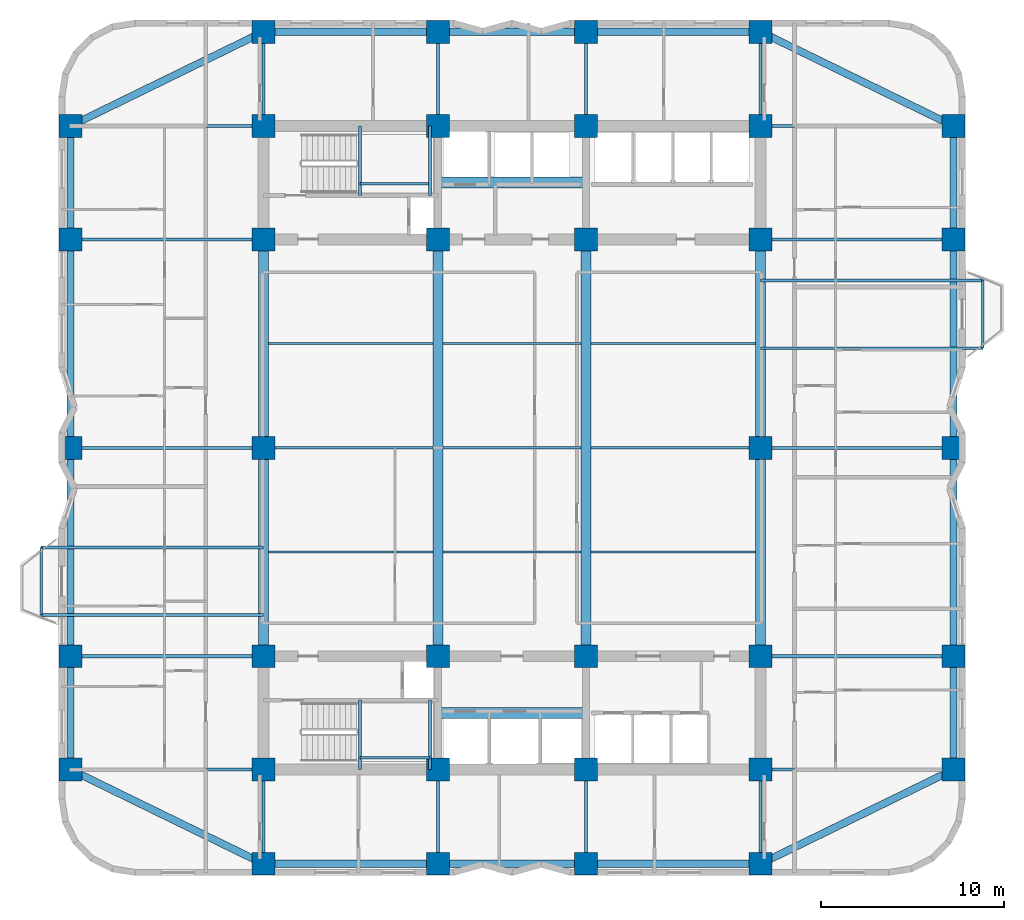
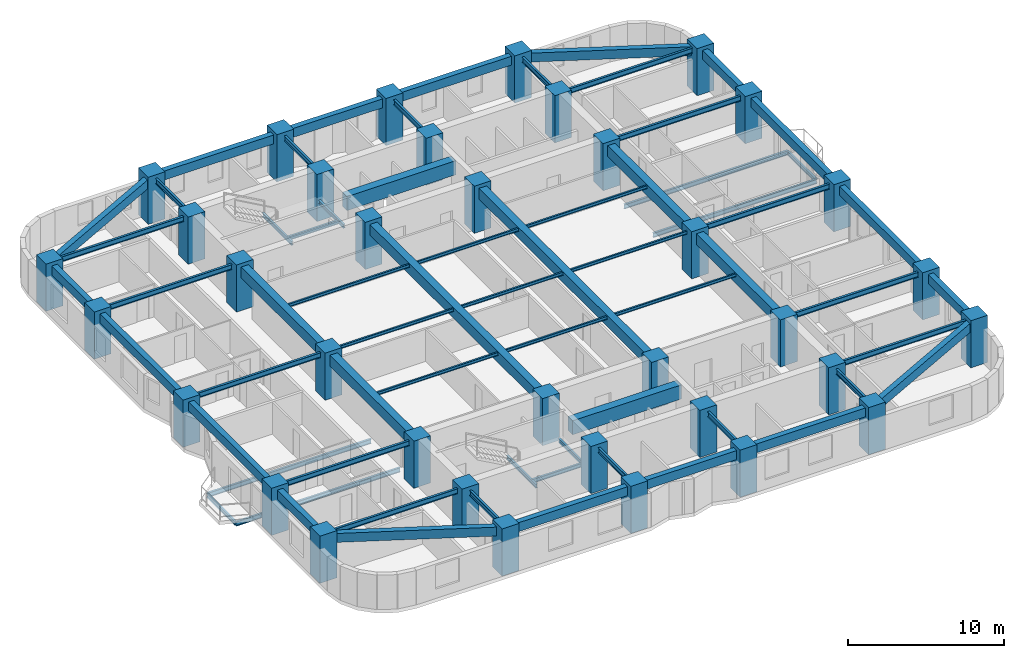
# One storey, part 1 of 9: 65 beams, 36 columns.
"""IFC4 building model written with IfcOpenShell, lengths in metres."""

from ifc_helpers import new_model, si_unit, direction, frame, origin, origin_2d, place, context, subcontext, project, spatial, rectangle, i_section, extrude, material, material_profile, profile_set, type_object, element, save


model = new_model("IFC4")

# Units and contexts
model_context = context("Model", 3, precision=1e-05, world=origin(), true_north=direction((0.0, 1.0)))
body_context = subcontext(model_context, "Body", "Model", "MODEL_VIEW")
ifc_project = project(units=[si_unit("LENGTHUNIT", "METRE"), si_unit("AREAUNIT", "SQUARE_METRE"), si_unit("VOLUMEUNIT", "CUBIC_METRE"), si_unit("PLANEANGLEUNIT", "RADIAN"), si_unit("MASSUNIT", "GRAM", prefix="KILO")], contexts=[model_context])

# Site, building, storey
site_placement = place(None, origin())
site = spatial("IfcSite", under=ifc_project, at=site_placement, CompositionType="ELEMENT")
building_placement = place(site_placement, origin())
building = spatial("IfcBuilding", under=site, at=building_placement, Name="Svetorya Sky Lyceum", CompositionType="ELEMENT")
storey_placement = place(building_placement, frame((0.0, 0.0, 62.10009765625)))
storey = spatial("IfcBuildingStorey", under=building, at=storey_placement, Name="L15", CompositionType="ELEMENT", Elevation=62.10009765625)

# Columns
ifc_material_1 = material(Name="Concrete C60/75", Category="concrete")
ifc_material_profile_1 = material_profile(ifc_material_1, rectangle(XDim=1.25, YDim=1.25, at=origin_2d()), Name="RC COL 1250x1250")
ifc_profile_set_1 = profile_set([ifc_material_profile_1], Name="Concrete C60/75")
column_type = type_object("IfcColumnType", Name="COL-RC-1250", PredefinedType="COLUMN", material=ifc_profile_set_1)
for number, where, z_axis, x_axis, name in (
    (1, (25.60009765625, 10.60009765625, 0.0), (0.0, 0.0, 1.0), (1.0, 0.0, 0.0), "L15 Core Column CS-11"),
    (2, (25.60009765625, 16.800048828125, 0.0), (0.0, 0.0, 1.0), (1.0, 0.0, 0.0), "L15 Core Column CS-12"),
    (3, (35.14990234375, 10.60009765625, 0.0), (0.0, 0.0, 1.0), (1.0, 0.0, 0.0), "L15 Core Column CS-21"),
    (4, (35.14990234375, 16.800048828125, 0.0), (0.0, 0.0, 1.0), (1.0, 0.0, 0.0), "L15 Core Column CS-22"),
    (5, (43.25, 10.60009765625, 0.0), (0.0, 0.0, 1.0), (1.0, 0.0, 0.0), "L15 Core Column CS-31"),
    (6, (43.25, 16.800048828125, 0.0), (0.0, 0.0, 1.0), (1.0, 0.0, 0.0), "L15 Core Column CS-32"),
    (7, (52.800048828125, 10.60009765625, 0.0), (0.0, 0.0, 1.0), (1.0, 0.0, 0.0), "L15 Core Column CS-41"),
    (8, (52.800048828125, 16.800048828125, 0.0), (0.0, 0.0, 1.0), (1.0, 0.0, 0.0), "L15 Core Column CS-42"),
    (9, (25.60009765625, 39.60009765625, 0.0), (0.0, 0.0, 1.0), (1.0, 0.0, 0.0), "L15 Core Column CN-11"),
    (10, (25.60009765625, 45.800048828125, 0.0), (0.0, 0.0, 1.0), (1.0, 0.0, 0.0), "L15 Core Column CN-12"),
    (11, (35.14990234375, 39.60009765625, 0.0), (0.0, 0.0, 1.0), (1.0, 0.0, 0.0), "L15 Core Column CN-21"),
    (12, (35.14990234375, 45.800048828125, 0.0), (0.0, 0.0, 1.0), (1.0, 0.0, 0.0), "L15 Core Column CN-22"),
    (13, (43.25, 39.60009765625, 0.0), (0.0, 0.0, 1.0), (1.0, 0.0, 0.0), "L15 Core Column CN-31"),
    (14, (43.25, 45.800048828125, 0.0), (0.0, 0.0, 1.0), (1.0, 0.0, 0.0), "L15 Core Column CN-32"),
    (15, (52.800048828125, 39.60009765625, 0.0), (0.0, 0.0, 1.0), (1.0, 0.0, 0.0), "L15 Core Column CN-41"),
    (16, (52.800048828125, 45.800048828125, 0.0), (0.0, 0.0, 1.0), (1.0, 0.0, 0.0), "L15 Core Column CN-42"),
    (17, (25.60009765625, 28.199951171875, 0.0), (0.0, 0.0, 1.0), (1.0, 0.0, 0.0), "L15 Core Column CM-W"),
    (18, (52.800048828125, 28.199951171875, 0.0), (0.0, 0.0, 1.0), (1.0, 0.0, 0.0), "L15 Core Column CM-E"),
    (19, (25.60009765625, 5.449951171875, 0.0), (0.0, 0.0, 1.0), (1.0, 0.0, 0.0), "L15 Perimeter Column S1"),
    (20, (25.60009765625, 50.949951171875, 0.0), (0.0, 0.0, 1.0), (1.0, 0.0, 0.0), "L15 Perimeter Column N1"),
    (21, (35.14990234375, 5.449951171875, 0.0), (0.0, 0.0, 1.0), (1.0, 0.0, 0.0), "L15 Perimeter Column S2"),
    (22, (35.14990234375, 50.949951171875, 0.0), (0.0, 0.0, 1.0), (1.0, 0.0, 0.0), "L15 Perimeter Column N2"),
    (23, (43.25, 5.449951171875, 0.0), (0.0, 0.0, 1.0), (1.0, 0.0, 0.0), "L15 Perimeter Column S3"),
    (24, (43.25, 50.949951171875, 0.0), (0.0, 0.0, 1.0), (1.0, 0.0, 0.0), "L15 Perimeter Column N3"),
    (25, (52.800048828125, 5.449951171875, 0.0), (0.0, 0.0, 1.0), (1.0, 0.0, 0.0), "L15 Perimeter Column S4"),
    (26, (52.800048828125, 50.949951171875, 0.0), (0.0, 0.0, 1.0), (1.0, 0.0, 0.0), "L15 Perimeter Column N4"),
    (27, (15.050048828125, 10.60009765625, 0.0), (0.0, 0.0, 1.0), (1.0, 0.0, 0.0), "L15 Perimeter Column W1"),
    (28, (63.35009765625, 10.60009765625, 0.0), (0.0, 0.0, 1.0), (1.0, 0.0, 0.0), "L15 Perimeter Column E1"),
    (29, (15.050048828125, 16.800048828125, 0.0), (0.0, 0.0, 1.0), (1.0, 0.0, 0.0), "L15 Perimeter Column W2"),
    (30, (63.35009765625, 16.800048828125, 0.0), (0.0, 0.0, 1.0), (1.0, 0.0, 0.0), "L15 Perimeter Column E2"),
    (31, (15.050048828125, 28.199951171875, 0.0), (0.0, 0.0, 1.0), (1.0, 0.0, 0.0), "L15 Perimeter Column W3"),
    (32, (63.35009765625, 28.199951171875, 0.0), (0.0, 0.0, 1.0), (1.0, 0.0, 0.0), "L15 Perimeter Column E3"),
    (33, (15.050048828125, 39.60009765625, 0.0), (0.0, 0.0, 1.0), (1.0, 0.0, 0.0), "L15 Perimeter Column W4"),
    (34, (63.35009765625, 39.60009765625, 0.0), (0.0, 0.0, 1.0), (1.0, 0.0, 0.0), "L15 Perimeter Column E4"),
    (35, (15.050048828125, 45.800048828125, 0.0), (0.0, 0.0, 1.0), (1.0, 0.0, 0.0), "L15 Perimeter Column W5"),
    (36, (63.35009765625, 45.800048828125, 0.0), (0.0, 0.0, 1.0), (1.0, 0.0, 0.0), "L15 Perimeter Column E5"),
):
    element("IfcColumn", number, at=place(storey_placement, frame(where, z_axis=z_axis, x_axis=x_axis)), inside=storey, type_object=column_type, Name=name, PredefinedType="COLUMN", context=body_context, shape_type="SweptSolid", body=[
        extrude(rectangle(XDim=1.25, YDim=1.25, at=origin_2d()), origin(), (0.0, 0.0, 1.0), 3.699951171875),
    ])

# Beams
ifc_material_profile_2 = material_profile(ifc_material_1, rectangle(XDim=0.60009765625, YDim=1.10009765625, at=origin_2d()), Name="RC COUPLING 600x1100")
ifc_profile_set_2 = profile_set([ifc_material_profile_2], Name="Concrete C60/75")
beam_type_1 = type_object("IfcBeamType", Name="BM-CPL-1100", PredefinedType="LINTEL", material=ifc_profile_set_2)
for number, where, z_axis, x_axis, name in (
    (37, (35.14990234375, 13.699951171875, 2.869873046875), (1.0, 0.0, 0.0), (0.0, 1.0, 0.0), "L15 SC Core Coupling Beam"),
    (38, (35.14990234375, 42.699951171875, 2.869873046875), (1.0, 0.0, 0.0), (0.0, 1.0, 0.0), "L15 NC Core Coupling Beam"),
):
    element("IfcBeam", number, at=place(storey_placement, frame(where, z_axis=z_axis, x_axis=x_axis)), inside=storey, type_object=beam_type_1, Name=name, PredefinedType="LINTEL", context=body_context, shape_type="SweptSolid", body=[
        extrude(rectangle(XDim=0.60009765625, YDim=1.10009765625, at=origin_2d()), origin(), (0.0, 0.0, 1.0), 8.10009765625),
    ])
ifc_material_2 = material(Name="Concrete C50/60", Category="concrete")
ifc_material_profile_3 = material_profile(ifc_material_2, rectangle(XDim=0.550048828125, YDim=0.85009765625, at=origin_2d()), Name="RC BEAM 550x850")
ifc_profile_set_3 = profile_set([ifc_material_profile_3], Name="Concrete C50/60")
beam_type_2 = type_object("IfcBeamType", Name="BM-RC-850", PredefinedType="BEAM", material=ifc_profile_set_3)
beam_1_placement = place(storey_placement, frame((25.60009765625, 16.800048828125, 2.994873046875), z_axis=(0.0, 1.0, 0.0), x_axis=(-1.0, 0.0, 0.0)))
element("IfcBeam", 39, at=beam_1_placement, inside=storey, type_object=beam_type_2, Name="L15 Central Bay Primary Girder CG-1A", PredefinedType="BEAM", context=body_context, shape_type="SweptSolid", body=[
    extrude(rectangle(XDim=0.550048828125, YDim=0.85009765625, at=origin_2d()), origin(), (0.0, 0.0, 1.0), 11.39990234375),
])
beam_2_placement = place(storey_placement, frame((25.60009765625, 28.199951171875, 2.994873046875), z_axis=(0.0, 1.0, 0.0), x_axis=(-1.0, 0.0, 0.0)))
element("IfcBeam", 40, at=beam_2_placement, inside=storey, type_object=beam_type_2, Name="L15 Central Bay Primary Girder CG-1B", PredefinedType="BEAM", context=body_context, shape_type="SweptSolid", body=[
    extrude(rectangle(XDim=0.550048828125, YDim=0.85009765625, at=origin_2d()), origin(), (0.0, 0.0, 1.0), 11.400146484375),
])
for number, where, z_axis, x_axis, name in (
    (41, (35.14990234375, 16.800048828125, 2.994873046875), (0.0, 1.0, 0.0), (-1.0, 0.0, 0.0), "L15 Central Bay Primary Girder CG-2"),
    (42, (43.25, 16.800048828125, 2.994873046875), (0.0, 1.0, 0.0), (-1.0, 0.0, 0.0), "L15 Central Bay Primary Girder CG-3"),
):
    element("IfcBeam", number, at=place(storey_placement, frame(where, z_axis=z_axis, x_axis=x_axis)), inside=storey, type_object=beam_type_2, Name=name, PredefinedType="BEAM", context=body_context, shape_type="SweptSolid", body=[
        extrude(rectangle(XDim=0.550048828125, YDim=0.85009765625, at=origin_2d()), origin(), (0.0, 0.0, 1.0), 22.800048828125),
    ])
beam_3_placement = place(storey_placement, frame((52.800048828125, 16.800048828125, 2.994873046875), z_axis=(0.0, 1.0, 0.0), x_axis=(-1.0, 0.0, 0.0)))
element("IfcBeam", 43, at=beam_3_placement, inside=storey, type_object=beam_type_2, Name="L15 Central Bay Primary Girder CG-4A", PredefinedType="BEAM", context=body_context, shape_type="SweptSolid", body=[
    extrude(rectangle(XDim=0.550048828125, YDim=0.85009765625, at=origin_2d()), origin(), (0.0, 0.0, 1.0), 11.39990234375),
])
beam_4_placement = place(storey_placement, frame((52.800048828125, 28.199951171875, 2.994873046875), z_axis=(0.0, 1.0, 0.0), x_axis=(-1.0, 0.0, 0.0)))
element("IfcBeam", 44, at=beam_4_placement, inside=storey, type_object=beam_type_2, Name="L15 Central Bay Primary Girder CG-4B", PredefinedType="BEAM", context=body_context, shape_type="SweptSolid", body=[
    extrude(rectangle(XDim=0.550048828125, YDim=0.85009765625, at=origin_2d()), origin(), (0.0, 0.0, 1.0), 11.400146484375),
])
ifc_material_profile_4 = material_profile(ifc_material_2, rectangle(XDim=0.39990234375, YDim=0.699951171875, at=origin_2d()), Name="RC SPANDREL 400x700")
ifc_profile_set_4 = profile_set([ifc_material_profile_4], Name="Concrete C50/60")
beam_type_3 = type_object("IfcBeamType", Name="BM-SPN-700", PredefinedType="SPANDREL", material=ifc_profile_set_4)
beam_5_placement = place(storey_placement, frame((25.60009765625, 5.449951171875, 3.06982421875), z_axis=(1.0, 0.0, 0.0), x_axis=(0.0, 1.0, 0.0)))
element("IfcBeam", 45, at=beam_5_placement, inside=storey, type_object=beam_type_3, Name="L15 South Spandrel 1", PredefinedType="SPANDREL", context=body_context, shape_type="SweptSolid", body=[
    extrude(rectangle(XDim=0.39990234375, YDim=0.699951171875, at=origin_2d()), origin(), (0.0, 0.0, 1.0), 9.5498046875),
])
beam_6_placement = place(storey_placement, frame((35.14990234375, 5.449951171875, 3.06982421875), z_axis=(1.0, 0.0, 0.0), x_axis=(0.0, 1.0, 0.0)))
element("IfcBeam", 46, at=beam_6_placement, inside=storey, type_object=beam_type_3, Name="L15 South Spandrel 2", PredefinedType="SPANDREL", context=body_context, shape_type="SweptSolid", body=[
    extrude(rectangle(XDim=0.39990234375, YDim=0.699951171875, at=origin_2d()), origin(), (0.0, 0.0, 1.0), 8.10009765625),
])
beam_7_placement = place(storey_placement, frame((43.25, 5.449951171875, 3.06982421875), z_axis=(1.0, 0.0, 0.0), x_axis=(0.0, 1.0, 0.0)))
element("IfcBeam", 47, at=beam_7_placement, inside=storey, type_object=beam_type_3, Name="L15 South Spandrel 3", PredefinedType="SPANDREL", context=body_context, shape_type="SweptSolid", body=[
    extrude(rectangle(XDim=0.39990234375, YDim=0.699951171875, at=origin_2d()), origin(), (0.0, 0.0, 1.0), 9.550048828125),
])
beam_8_placement = place(storey_placement, frame((25.60009765625, 50.949951171875, 3.06982421875), z_axis=(1.0, 0.0, 0.0), x_axis=(0.0, 1.0, 0.0)))
element("IfcBeam", 48, at=beam_8_placement, inside=storey, type_object=beam_type_3, Name="L15 North Spandrel 1", PredefinedType="SPANDREL", context=body_context, shape_type="SweptSolid", body=[
    extrude(rectangle(XDim=0.39990234375, YDim=0.699951171875, at=origin_2d()), origin(), (0.0, 0.0, 1.0), 9.5498046875),
])
beam_9_placement = place(storey_placement, frame((35.14990234375, 50.949951171875, 3.06982421875), z_axis=(1.0, 0.0, 0.0), x_axis=(0.0, 1.0, 0.0)))
element("IfcBeam", 49, at=beam_9_placement, inside=storey, type_object=beam_type_3, Name="L15 North Spandrel 2", PredefinedType="SPANDREL", context=body_context, shape_type="SweptSolid", body=[
    extrude(rectangle(XDim=0.39990234375, YDim=0.699951171875, at=origin_2d()), origin(), (0.0, 0.0, 1.0), 8.10009765625),
])
beam_10_placement = place(storey_placement, frame((43.25, 50.949951171875, 3.06982421875), z_axis=(1.0, 0.0, 0.0), x_axis=(0.0, 1.0, 0.0)))
element("IfcBeam", 50, at=beam_10_placement, inside=storey, type_object=beam_type_3, Name="L15 North Spandrel 3", PredefinedType="SPANDREL", context=body_context, shape_type="SweptSolid", body=[
    extrude(rectangle(XDim=0.39990234375, YDim=0.699951171875, at=origin_2d()), origin(), (0.0, 0.0, 1.0), 9.550048828125),
])
for number, where, z_axis, x_axis, name in (
    (51, (25.60009765625, 5.449951171875, 3.06982421875), (-0.898641495694, 0.438683783854, 0.0), (-0.438683783854, -0.898641495694, 0.0), "L15 Corner Spandrel 1"),
    (52, (52.800048828125, 5.449951171875, 3.06982421875), (0.898641495694, 0.438683783854, 0.0), (-0.438683783854, 0.898641495694, 0.0), "L15 Corner Spandrel 2"),
    (53, (63.35009765625, 45.800048828125, 3.06982421875), (-0.898649693653, 0.438666989978, 0.0), (-0.438666989978, -0.898649693653, 0.0), "L15 Corner Spandrel 3"),
    (54, (15.050048828125, 45.800048828125, 3.06982421875), (0.898649693653, 0.438666989978, 0.0), (-0.438666989978, 0.898649693653, 0.0), "L15 Corner Spandrel 4"),
):
    element("IfcBeam", number, at=place(storey_placement, frame(where, z_axis=z_axis, x_axis=x_axis)), inside=storey, type_object=beam_type_3, Name=name, PredefinedType="SPANDREL", context=body_context, shape_type="SweptSolid", body=[
        extrude(rectangle(XDim=0.39990234375, YDim=0.699951171875, at=origin_2d()), origin(), (0.0, 0.0, 1.0), 11.739990234375),
    ])
beam_11_placement = place(storey_placement, frame((15.050048828125, 10.60009765625, 3.06982421875), z_axis=(0.0, 1.0, 0.0), x_axis=(-1.0, 0.0, 0.0)))
element("IfcBeam", 55, at=beam_11_placement, inside=storey, type_object=beam_type_3, Name="L15 West Spandrel 1", PredefinedType="SPANDREL", context=body_context, shape_type="SweptSolid", body=[
    extrude(rectangle(XDim=0.39990234375, YDim=0.699951171875, at=origin_2d()), origin(), (0.0, 0.0, 1.0), 6.199951171875),
])
beam_12_placement = place(storey_placement, frame((15.050048828125, 16.800048828125, 3.06982421875), z_axis=(0.0, 1.0, 0.0), x_axis=(-1.0, 0.0, 0.0)))
element("IfcBeam", 56, at=beam_12_placement, inside=storey, type_object=beam_type_3, Name="L15 West Spandrel 2", PredefinedType="SPANDREL", context=body_context, shape_type="SweptSolid", body=[
    extrude(rectangle(XDim=0.39990234375, YDim=0.699951171875, at=origin_2d()), origin(), (0.0, 0.0, 1.0), 11.39990234375),
])
beam_13_placement = place(storey_placement, frame((15.050048828125, 28.199951171875, 3.06982421875), z_axis=(0.0, 1.0, 0.0), x_axis=(-1.0, 0.0, 0.0)))
element("IfcBeam", 57, at=beam_13_placement, inside=storey, type_object=beam_type_3, Name="L15 West Spandrel 3", PredefinedType="SPANDREL", context=body_context, shape_type="SweptSolid", body=[
    extrude(rectangle(XDim=0.39990234375, YDim=0.699951171875, at=origin_2d()), origin(), (0.0, 0.0, 1.0), 11.400146484375),
])
for number, where, z_axis, x_axis, name in (
    (58, (15.050048828125, 39.60009765625, 3.06982421875), (0.0, 1.0, 0.0), (-1.0, 0.0, 0.0), "L15 West Spandrel 4"),
    (59, (63.35009765625, 10.60009765625, 3.06982421875), (0.0, 1.0, 0.0), (-1.0, 0.0, 0.0), "L15 East Spandrel 1"),
):
    element("IfcBeam", number, at=place(storey_placement, frame(where, z_axis=z_axis, x_axis=x_axis)), inside=storey, type_object=beam_type_3, Name=name, PredefinedType="SPANDREL", context=body_context, shape_type="SweptSolid", body=[
        extrude(rectangle(XDim=0.39990234375, YDim=0.699951171875, at=origin_2d()), origin(), (0.0, 0.0, 1.0), 6.199951171875),
    ])
beam_14_placement = place(storey_placement, frame((63.35009765625, 16.800048828125, 3.06982421875), z_axis=(0.0, 1.0, 0.0), x_axis=(-1.0, 0.0, 0.0)))
element("IfcBeam", 60, at=beam_14_placement, inside=storey, type_object=beam_type_3, Name="L15 East Spandrel 2", PredefinedType="SPANDREL", context=body_context, shape_type="SweptSolid", body=[
    extrude(rectangle(XDim=0.39990234375, YDim=0.699951171875, at=origin_2d()), origin(), (0.0, 0.0, 1.0), 11.39990234375),
])
beam_15_placement = place(storey_placement, frame((63.35009765625, 28.199951171875, 3.06982421875), z_axis=(0.0, 1.0, 0.0), x_axis=(-1.0, 0.0, 0.0)))
element("IfcBeam", 61, at=beam_15_placement, inside=storey, type_object=beam_type_3, Name="L15 East Spandrel 3", PredefinedType="SPANDREL", context=body_context, shape_type="SweptSolid", body=[
    extrude(rectangle(XDim=0.39990234375, YDim=0.699951171875, at=origin_2d()), origin(), (0.0, 0.0, 1.0), 11.400146484375),
])
beam_16_placement = place(storey_placement, frame((63.35009765625, 39.60009765625, 3.06982421875), z_axis=(0.0, 1.0, 0.0), x_axis=(-1.0, 0.0, 0.0)))
element("IfcBeam", 62, at=beam_16_placement, inside=storey, type_object=beam_type_3, Name="L15 East Spandrel 4", PredefinedType="SPANDREL", context=body_context, shape_type="SweptSolid", body=[
    extrude(rectangle(XDim=0.39990234375, YDim=0.699951171875, at=origin_2d()), origin(), (0.0, 0.0, 1.0), 6.199951171875),
])
ifc_material_3 = material(Name="Steel S355", Category="steel")
ifc_material_profile_5 = material_profile(ifc_material_3, i_section(OverallWidth=0.1240234375, OverallDepth=0.248046875, WebThickness=0.006103515625, FlangeThickness=0.009521484375, at=origin_2d()), Name="GOST 25B2")
ifc_profile_set_5 = profile_set([ifc_material_profile_5], Name="Steel S355")
beam_type_4 = type_object("IfcBeamType", Name="BM-STL-25B2", PredefinedType="JOIST", material=ifc_profile_set_5)
beam_17_placement = place(storey_placement, frame((25.875, 22.5, 3.2958984375), z_axis=(1.0, 0.0, 0.0), x_axis=(0.0, 1.0, 0.0)))
element("IfcBeam", 63, at=beam_17_placement, inside=storey, type_object=beam_type_4, Name="L15 Central Floor Joist CJ-1.1", PredefinedType="JOIST", context=body_context, shape_type="SweptSolid", body=[
    extrude(i_section(OverallWidth=0.1240234375, OverallDepth=0.248046875, WebThickness=0.006103515625, FlangeThickness=0.009521484375, at=origin_2d()), origin(), (0.0, 0.0, 1.0), 9.0),
])
beam_18_placement = place(storey_placement, frame((35.425048828125, 22.5, 3.2958984375), z_axis=(1.0, 0.0, 0.0), x_axis=(0.0, 1.0, 0.0)))
element("IfcBeam", 64, at=beam_18_placement, inside=storey, type_object=beam_type_4, Name="L15 Central Floor Joist CJ-1.2", PredefinedType="JOIST", context=body_context, shape_type="SweptSolid", body=[
    extrude(i_section(OverallWidth=0.1240234375, OverallDepth=0.248046875, WebThickness=0.006103515625, FlangeThickness=0.009521484375, at=origin_2d()), origin(), (0.0, 0.0, 1.0), 7.550048828125),
])
for number, where, z_axis, x_axis, name in (
    (65, (43.52490234375, 22.5, 3.2958984375), (1.0, 0.0, 0.0), (0.0, 1.0, 0.0), "L15 Central Floor Joist CJ-1.3"),
    (66, (25.875, 28.199951171875, 3.2958984375), (1.0, 0.0, 0.0), (0.0, 1.0, 0.0), "L15 Central Floor Joist CJ-2.1"),
):
    element("IfcBeam", number, at=place(storey_placement, frame(where, z_axis=z_axis, x_axis=x_axis)), inside=storey, type_object=beam_type_4, Name=name, PredefinedType="JOIST", context=body_context, shape_type="SweptSolid", body=[
        extrude(i_section(OverallWidth=0.1240234375, OverallDepth=0.248046875, WebThickness=0.006103515625, FlangeThickness=0.009521484375, at=origin_2d()), origin(), (0.0, 0.0, 1.0), 9.0),
    ])
beam_19_placement = place(storey_placement, frame((35.425048828125, 28.199951171875, 3.2958984375), z_axis=(1.0, 0.0, 0.0), x_axis=(0.0, 1.0, 0.0)))
element("IfcBeam", 67, at=beam_19_placement, inside=storey, type_object=beam_type_4, Name="L15 Central Floor Joist CJ-2.2", PredefinedType="JOIST", context=body_context, shape_type="SweptSolid", body=[
    extrude(i_section(OverallWidth=0.1240234375, OverallDepth=0.248046875, WebThickness=0.006103515625, FlangeThickness=0.009521484375, at=origin_2d()), origin(), (0.0, 0.0, 1.0), 7.550048828125),
])
for number, where, z_axis, x_axis, name in (
    (68, (43.52490234375, 28.199951171875, 3.2958984375), (1.0, 0.0, 0.0), (0.0, 1.0, 0.0), "L15 Central Floor Joist CJ-2.3"),
    (69, (25.875, 33.89990234375, 3.2958984375), (1.0, 0.0, 0.0), (0.0, 1.0, 0.0), "L15 Central Floor Joist CJ-3.1"),
):
    element("IfcBeam", number, at=place(storey_placement, frame(where, z_axis=z_axis, x_axis=x_axis)), inside=storey, type_object=beam_type_4, Name=name, PredefinedType="JOIST", context=body_context, shape_type="SweptSolid", body=[
        extrude(i_section(OverallWidth=0.1240234375, OverallDepth=0.248046875, WebThickness=0.006103515625, FlangeThickness=0.009521484375, at=origin_2d()), origin(), (0.0, 0.0, 1.0), 9.0),
    ])
beam_20_placement = place(storey_placement, frame((35.425048828125, 33.89990234375, 3.2958984375), z_axis=(1.0, 0.0, 0.0), x_axis=(0.0, 1.0, 0.0)))
element("IfcBeam", 70, at=beam_20_placement, inside=storey, type_object=beam_type_4, Name="L15 Central Floor Joist CJ-3.2", PredefinedType="JOIST", context=body_context, shape_type="SweptSolid", body=[
    extrude(i_section(OverallWidth=0.1240234375, OverallDepth=0.248046875, WebThickness=0.006103515625, FlangeThickness=0.009521484375, at=origin_2d()), origin(), (0.0, 0.0, 1.0), 7.550048828125),
])
beam_21_placement = place(storey_placement, frame((43.52490234375, 33.89990234375, 3.2958984375), z_axis=(1.0, 0.0, 0.0), x_axis=(0.0, 1.0, 0.0)))
element("IfcBeam", 71, at=beam_21_placement, inside=storey, type_object=beam_type_4, Name="L15 Central Floor Joist CJ-3.3", PredefinedType="JOIST", context=body_context, shape_type="SweptSolid", body=[
    extrude(i_section(OverallWidth=0.1240234375, OverallDepth=0.248046875, WebThickness=0.006103515625, FlangeThickness=0.009521484375, at=origin_2d()), origin(), (0.0, 0.0, 1.0), 9.0),
])
ifc_material_profile_6 = material_profile(ifc_material_3, i_section(OverallWidth=0.14990234375, OverallDepth=0.299072265625, WebThickness=0.006591796875, FlangeThickness=0.010498046875, at=origin_2d()), Name="GOST 30B2")
ifc_profile_set_6 = profile_set([ifc_material_profile_6], Name="Steel S355")
beam_type_5 = type_object("IfcBeamType", Name="BM-STL-30B2", PredefinedType="JOIST", material=ifc_profile_set_6)
beam_22_placement = place(storey_placement, frame((13.449951171875, 19.050048828125, -0.45458984375), z_axis=(0.0, 1.0, 0.0), x_axis=(-1.0, 0.0, 0.0)))
element("IfcBeam", 72, at=beam_22_placement, inside=storey, type_object=beam_type_5, Name="L15 Balcony Edge Tie BAL-W1", PredefinedType="JOIST", context=body_context, shape_type="SweptSolid", body=[
    extrude(i_section(OverallWidth=0.14990234375, OverallDepth=0.299072265625, WebThickness=0.006591796875, FlangeThickness=0.010498046875, at=origin_2d()), origin(), (0.0, 0.0, 1.0), 3.699951171875),
])
beam_23_placement = place(storey_placement, frame((64.949951171875, 33.64990234375, -0.45458984375), z_axis=(0.0, 1.0, 0.0), x_axis=(-1.0, 0.0, 0.0)))
element("IfcBeam", 73, at=beam_23_placement, inside=storey, type_object=beam_type_5, Name="L15 Balcony Edge Tie BAL-E1", PredefinedType="JOIST", context=body_context, shape_type="SweptSolid", body=[
    extrude(i_section(OverallWidth=0.14990234375, OverallDepth=0.299072265625, WebThickness=0.006591796875, FlangeThickness=0.010498046875, at=origin_2d()), origin(), (0.0, 0.0, 1.0), 3.7001953125),
])
for number, where, z_axis, x_axis, name in (
    (74, (30.8798828125, 10.60009765625, 1.50048828125), (0.0, 1.0, 0.0), (-1.0, 0.0, 0.0), "L15 Stair ST-S Half-Landing Support Beam 17.1"),
    (75, (34.719970703125, 10.60009765625, 1.50048828125), (0.0, 1.0, 0.0), (-1.0, 0.0, 0.0), "L15 Stair ST-S Half-Landing Support Beam 17.2"),
):
    element("IfcBeam", number, at=place(storey_placement, frame(where, z_axis=z_axis, x_axis=x_axis)), inside=storey, type_object=beam_type_5, Name=name, PredefinedType="JOIST", context=body_context, shape_type="SweptSolid", body=[
        extrude(i_section(OverallWidth=0.14990234375, OverallDepth=0.299072265625, WebThickness=0.006591796875, FlangeThickness=0.010498046875, at=origin_2d()), origin(), (0.0, 0.0, 1.0), 3.7998046875),
    ])
beam_24_placement = place(storey_placement, frame((30.8798828125, 11.25, 1.50048828125), z_axis=(1.0, 0.0, 0.0), x_axis=(0.0, 1.0, 0.0)))
element("IfcBeam", 76, at=beam_24_placement, inside=storey, type_object=beam_type_5, Name="L15 Stair ST-S Half-Landing Cross Tie 17", PredefinedType="JOIST", context=body_context, shape_type="SweptSolid", body=[
    extrude(i_section(OverallWidth=0.14990234375, OverallDepth=0.299072265625, WebThickness=0.006591796875, FlangeThickness=0.010498046875, at=origin_2d()), origin(), (0.0, 0.0, 1.0), 3.840087890625),
])
for number, where, z_axis, x_axis, name in (
    (77, (30.8798828125, 42.0, 1.50048828125), (0.0, 1.0, 0.0), (-1.0, 0.0, 0.0), "L15 Stair ST-N Half-Landing Support Beam 17.1"),
    (78, (34.719970703125, 42.0, 1.50048828125), (0.0, 1.0, 0.0), (-1.0, 0.0, 0.0), "L15 Stair ST-N Half-Landing Support Beam 17.2"),
):
    element("IfcBeam", number, at=place(storey_placement, frame(where, z_axis=z_axis, x_axis=x_axis)), inside=storey, type_object=beam_type_5, Name=name, PredefinedType="JOIST", context=body_context, shape_type="SweptSolid", body=[
        extrude(i_section(OverallWidth=0.14990234375, OverallDepth=0.299072265625, WebThickness=0.006591796875, FlangeThickness=0.010498046875, at=origin_2d()), origin(), (0.0, 0.0, 1.0), 3.800048828125),
    ])
beam_25_placement = place(storey_placement, frame((30.8798828125, 42.64990234375, 1.50048828125), z_axis=(1.0, 0.0, 0.0), x_axis=(0.0, 1.0, 0.0)))
element("IfcBeam", 79, at=beam_25_placement, inside=storey, type_object=beam_type_5, Name="L15 Stair ST-N Half-Landing Cross Tie 17", PredefinedType="JOIST", context=body_context, shape_type="SweptSolid", body=[
    extrude(i_section(OverallWidth=0.14990234375, OverallDepth=0.299072265625, WebThickness=0.006591796875, FlangeThickness=0.010498046875, at=origin_2d()), origin(), (0.0, 0.0, 1.0), 3.840087890625),
])
ifc_material_profile_7 = material_profile(ifc_material_3, i_section(OverallWidth=0.155029296875, OverallDepth=0.34912109375, WebThickness=0.007080078125, FlangeThickness=0.011474609375, at=origin_2d()), Name="GOST 35B2")
ifc_profile_set_7 = profile_set([ifc_material_profile_7], Name="Steel S355")
beam_type_6 = type_object("IfcBeamType", Name="BM-STL-35B2", PredefinedType="JOIST", material=ifc_profile_set_7)
for number, where, z_axis, x_axis, name in (
    (80, (25.60009765625, 19.050048828125, -0.45458984375), (-1.0, 0.0, 0.0), (0.0, -1.0, 0.0), "L15 Balcony Cantilever Beam BAL-W1-1"),
    (81, (25.60009765625, 22.75, -0.45458984375), (-1.0, 0.0, 0.0), (0.0, -1.0, 0.0), "L15 Balcony Cantilever Beam BAL-W1-2"),
):
    element("IfcBeam", number, at=place(storey_placement, frame(where, z_axis=z_axis, x_axis=x_axis)), inside=storey, type_object=beam_type_6, Name=name, PredefinedType="JOIST", context=body_context, shape_type="SweptSolid", body=[
        extrude(i_section(OverallWidth=0.155029296875, OverallDepth=0.34912109375, WebThickness=0.007080078125, FlangeThickness=0.011474609375, at=origin_2d()), origin(), (0.0, 0.0, 1.0), 12.150146484375),
    ])
for number, where, z_axis, x_axis, name in (
    (82, (52.800048828125, 33.64990234375, -0.45458984375), (1.0, 0.0, 0.0), (0.0, 1.0, 0.0), "L15 Balcony Cantilever Beam BAL-E1-1"),
    (83, (52.800048828125, 37.35009765625, -0.45458984375), (1.0, 0.0, 0.0), (0.0, 1.0, 0.0), "L15 Balcony Cantilever Beam BAL-E1-2"),
):
    element("IfcBeam", number, at=place(storey_placement, frame(where, z_axis=z_axis, x_axis=x_axis)), inside=storey, type_object=beam_type_6, Name=name, PredefinedType="JOIST", context=body_context, shape_type="SweptSolid", body=[
        extrude(i_section(OverallWidth=0.155029296875, OverallDepth=0.34912109375, WebThickness=0.007080078125, FlangeThickness=0.011474609375, at=origin_2d()), origin(), (0.0, 0.0, 1.0), 12.14990234375),
    ])
ifc_material_profile_8 = material_profile(ifc_material_3, i_section(OverallWidth=0.1650390625, OverallDepth=0.39990234375, WebThickness=0.008056640625, FlangeThickness=0.012939453125, at=origin_2d()), Name="GOST 40B2")
ifc_profile_set_8 = profile_set([ifc_material_profile_8], Name="Steel S355")
beam_type_7 = type_object("IfcBeamType", Name="BM-STL-40B2", PredefinedType="JOIST", material=ifc_profile_set_8)
for number, where, z_axis, x_axis, name in (
    (84, (15.050048828125, 10.60009765625, 3.219970703125), (1.0, 0.0, 0.0), (0.0, 1.0, 0.0), "L15 West Wing Floor Joist W1"),
    (85, (52.800048828125, 10.60009765625, 3.219970703125), (1.0, 0.0, 0.0), (0.0, 1.0, 0.0), "L15 East Wing Floor Joist E1"),
    (86, (15.050048828125, 16.800048828125, 3.219970703125), (1.0, 0.0, 0.0), (0.0, 1.0, 0.0), "L15 West Wing Floor Joist W2"),
    (87, (52.800048828125, 16.800048828125, 3.219970703125), (1.0, 0.0, 0.0), (0.0, 1.0, 0.0), "L15 East Wing Floor Joist E2"),
    (88, (15.050048828125, 28.199951171875, 3.219970703125), (1.0, 0.0, 0.0), (0.0, 1.0, 0.0), "L15 West Wing Floor Joist W3"),
    (89, (52.800048828125, 28.199951171875, 3.219970703125), (1.0, 0.0, 0.0), (0.0, 1.0, 0.0), "L15 East Wing Floor Joist E3"),
    (90, (15.050048828125, 39.60009765625, 3.219970703125), (1.0, 0.0, 0.0), (0.0, 1.0, 0.0), "L15 West Wing Floor Joist W4"),
    (91, (52.800048828125, 39.60009765625, 3.219970703125), (1.0, 0.0, 0.0), (0.0, 1.0, 0.0), "L15 East Wing Floor Joist E4"),
    (92, (15.050048828125, 45.800048828125, 3.219970703125), (1.0, 0.0, 0.0), (0.0, 1.0, 0.0), "L15 West Wing Floor Joist W5"),
    (93, (52.800048828125, 45.800048828125, 3.219970703125), (1.0, 0.0, 0.0), (0.0, 1.0, 0.0), "L15 East Wing Floor Joist E5"),
):
    element("IfcBeam", number, at=place(storey_placement, frame(where, z_axis=z_axis, x_axis=x_axis)), inside=storey, type_object=beam_type_7, Name=name, PredefinedType="JOIST", context=body_context, shape_type="SweptSolid", body=[
        extrude(i_section(OverallWidth=0.1650390625, OverallDepth=0.39990234375, WebThickness=0.008056640625, FlangeThickness=0.012939453125, at=origin_2d()), origin(), (0.0, 0.0, 1.0), 10.550048828125),
    ])
beam_26_placement = place(storey_placement, frame((25.60009765625, 5.449951171875, 3.219970703125), z_axis=(0.0, 1.0, 0.0), x_axis=(-1.0, 0.0, 0.0)))
element("IfcBeam", 94, at=beam_26_placement, inside=storey, type_object=beam_type_7, Name="L15 South Bay Floor Girder S1", PredefinedType="JOIST", context=body_context, shape_type="SweptSolid", body=[
    extrude(i_section(OverallWidth=0.1650390625, OverallDepth=0.39990234375, WebThickness=0.008056640625, FlangeThickness=0.012939453125, at=origin_2d()), origin(), (0.0, 0.0, 1.0), 5.150146484375),
])
beam_27_placement = place(storey_placement, frame((25.60009765625, 45.800048828125, 3.219970703125), z_axis=(0.0, 1.0, 0.0), x_axis=(-1.0, 0.0, 0.0)))
element("IfcBeam", 95, at=beam_27_placement, inside=storey, type_object=beam_type_7, Name="L15 North Bay Floor Girder N1", PredefinedType="JOIST", context=body_context, shape_type="SweptSolid", body=[
    extrude(i_section(OverallWidth=0.1650390625, OverallDepth=0.39990234375, WebThickness=0.008056640625, FlangeThickness=0.012939453125, at=origin_2d()), origin(), (0.0, 0.0, 1.0), 5.14990234375),
])
beam_28_placement = place(storey_placement, frame((35.14990234375, 5.449951171875, 3.219970703125), z_axis=(0.0, 1.0, 0.0), x_axis=(-1.0, 0.0, 0.0)))
element("IfcBeam", 96, at=beam_28_placement, inside=storey, type_object=beam_type_7, Name="L15 South Bay Floor Girder S2", PredefinedType="JOIST", context=body_context, shape_type="SweptSolid", body=[
    extrude(i_section(OverallWidth=0.1650390625, OverallDepth=0.39990234375, WebThickness=0.008056640625, FlangeThickness=0.012939453125, at=origin_2d()), origin(), (0.0, 0.0, 1.0), 5.150146484375),
])
beam_29_placement = place(storey_placement, frame((35.14990234375, 45.800048828125, 3.219970703125), z_axis=(0.0, 1.0, 0.0), x_axis=(-1.0, 0.0, 0.0)))
element("IfcBeam", 97, at=beam_29_placement, inside=storey, type_object=beam_type_7, Name="L15 North Bay Floor Girder N2", PredefinedType="JOIST", context=body_context, shape_type="SweptSolid", body=[
    extrude(i_section(OverallWidth=0.1650390625, OverallDepth=0.39990234375, WebThickness=0.008056640625, FlangeThickness=0.012939453125, at=origin_2d()), origin(), (0.0, 0.0, 1.0), 5.14990234375),
])
beam_30_placement = place(storey_placement, frame((43.25, 5.449951171875, 3.219970703125), z_axis=(0.0, 1.0, 0.0), x_axis=(-1.0, 0.0, 0.0)))
element("IfcBeam", 98, at=beam_30_placement, inside=storey, type_object=beam_type_7, Name="L15 South Bay Floor Girder S3", PredefinedType="JOIST", context=body_context, shape_type="SweptSolid", body=[
    extrude(i_section(OverallWidth=0.1650390625, OverallDepth=0.39990234375, WebThickness=0.008056640625, FlangeThickness=0.012939453125, at=origin_2d()), origin(), (0.0, 0.0, 1.0), 5.150146484375),
])
beam_31_placement = place(storey_placement, frame((43.25, 45.800048828125, 3.219970703125), z_axis=(0.0, 1.0, 0.0), x_axis=(-1.0, 0.0, 0.0)))
element("IfcBeam", 99, at=beam_31_placement, inside=storey, type_object=beam_type_7, Name="L15 North Bay Floor Girder N3", PredefinedType="JOIST", context=body_context, shape_type="SweptSolid", body=[
    extrude(i_section(OverallWidth=0.1650390625, OverallDepth=0.39990234375, WebThickness=0.008056640625, FlangeThickness=0.012939453125, at=origin_2d()), origin(), (0.0, 0.0, 1.0), 5.14990234375),
])
beam_32_placement = place(storey_placement, frame((52.800048828125, 5.449951171875, 3.219970703125), z_axis=(0.0, 1.0, 0.0), x_axis=(-1.0, 0.0, 0.0)))
element("IfcBeam", 100, at=beam_32_placement, inside=storey, type_object=beam_type_7, Name="L15 South Bay Floor Girder S4", PredefinedType="JOIST", context=body_context, shape_type="SweptSolid", body=[
    extrude(i_section(OverallWidth=0.1650390625, OverallDepth=0.39990234375, WebThickness=0.008056640625, FlangeThickness=0.012939453125, at=origin_2d()), origin(), (0.0, 0.0, 1.0), 5.150146484375),
])
beam_33_placement = place(storey_placement, frame((52.800048828125, 45.800048828125, 3.219970703125), z_axis=(0.0, 1.0, 0.0), x_axis=(-1.0, 0.0, 0.0)))
element("IfcBeam", 101, at=beam_33_placement, inside=storey, type_object=beam_type_7, Name="L15 North Bay Floor Girder N4", PredefinedType="JOIST", context=body_context, shape_type="SweptSolid", body=[
    extrude(i_section(OverallWidth=0.1650390625, OverallDepth=0.39990234375, WebThickness=0.008056640625, FlangeThickness=0.012939453125, at=origin_2d()), origin(), (0.0, 0.0, 1.0), 5.14990234375),
])

save(model, "model.ifc")
